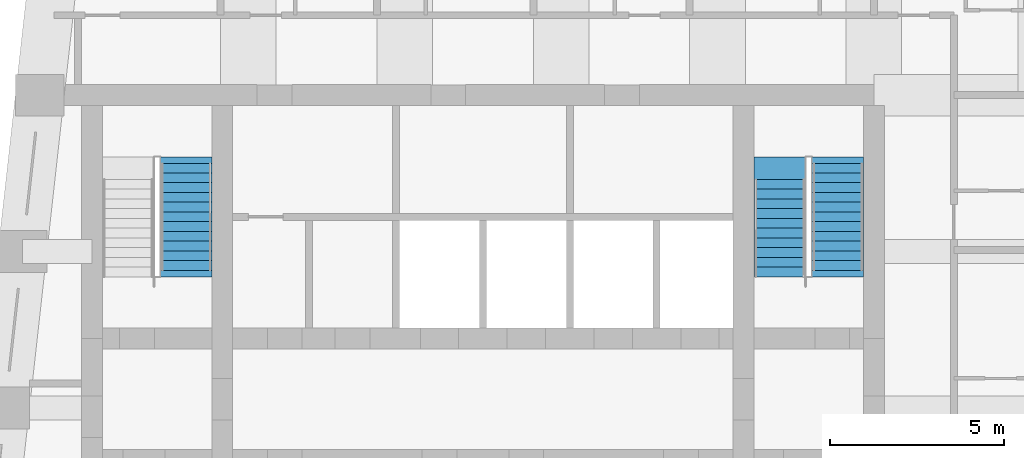
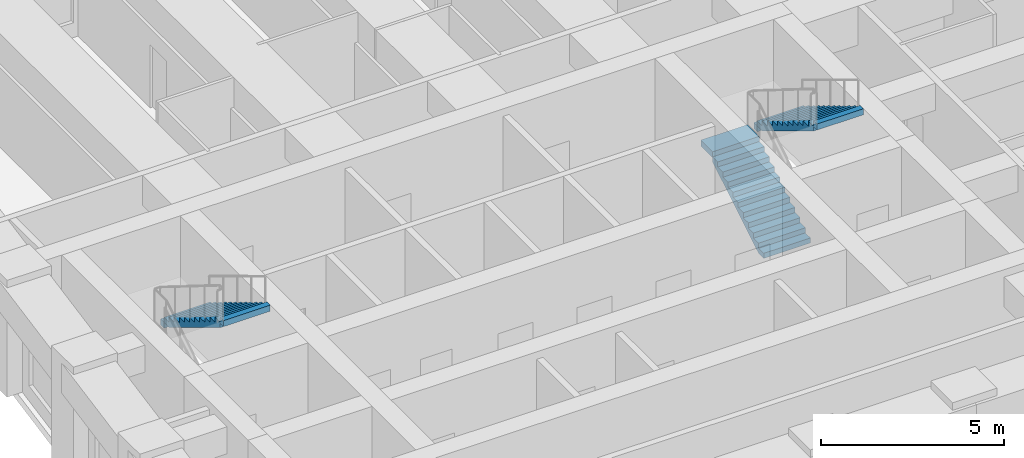
# One storey, part 6 of 7: 3 stair flights, 2 elements without a shape of their own.
"""IFC4 building model written with IfcOpenShell, lengths in metres."""

from ifc_helpers import new_model, si_unit, direction, frame, origin, place, context, subcontext, project, spatial, polyline, outline, extrude, material, type_object, element, aggregate, save


model = new_model("IFC4")

# Units and contexts
model_context = context("Model", 3, precision=1e-05, world=origin(), true_north=direction((0.0, 1.0)))
body_context = subcontext(model_context, "Body", "Model", "MODEL_VIEW")
ifc_project = project(units=[si_unit("LENGTHUNIT", "METRE"), si_unit("AREAUNIT", "SQUARE_METRE"), si_unit("VOLUMEUNIT", "CUBIC_METRE"), si_unit("PLANEANGLEUNIT", "RADIAN"), si_unit("MASSUNIT", "GRAM", prefix="KILO")], contexts=[model_context])

# Site, building, storey
site_placement = place(None, origin())
site = spatial("IfcSite", under=ifc_project, at=site_placement, CompositionType="ELEMENT")
building_placement = place(site_placement, origin())
building = spatial("IfcBuilding", under=site, at=building_placement, Name="Kilele Tower Hotel", CompositionType="ELEMENT")
storey_placement = place(building_placement, frame((0.0, 0.0, 266.300048828125)))
storey = spatial("IfcBuildingStorey", under=building, at=storey_placement, Name="L68", CompositionType="ELEMENT", Elevation=266.300048828125)

# Stair, stair flight
ifc_material_1 = material(Name="Precast concrete C40/50", Category="concrete")
stair_type = type_object("IfcStairType", Name="Stair 1475 x 3900", PredefinedType="HALF_TURN_STAIR", material=ifc_material_1)
stair_1_placement = place(storey_placement, origin())
stair_1 = element("IfcStair", 1, at=stair_1_placement, inside=storey, type_object=stair_type, Name="Stair 1 L68", PredefinedType="HALF_TURN_STAIR")
ifc_material_2 = material(Name="Precast concrete C40/50", Category="concrete")
stair_flight_type = type_object("IfcStairFlightType", Name="Flight 1475 riser 169.6", PredefinedType="STRAIGHT", material=ifc_material_2)
stair_flight_1_placement = place(storey_placement, frame((16.21240234375, 25.0400390625, 1.865234375), z_axis=(0.0, 0.0, 1.0), x_axis=(0.0, -1.0, 0.0)))
stair_flight_1 = element("IfcStairFlight", 2, at=stair_flight_1_placement, type_object=stair_flight_type, Name="ST1 flight 2", NumberOfRisers=12, NumberOfTreads=11, PredefinedType="STRAIGHT", RiserHeight=0.169565217, TreadLength=0.28, context=body_context, shape_type="SweptSolid", body=[
    extrude(outline(polyline([(0.0, 0.0), (0.0, 0.169677734375), (0.280029296875, 0.169677734375), (0.280029296875, 0.339111328125), (0.56005859375, 0.339111328125), (0.56005859375, 0.5087890625), (0.840087890625, 0.5087890625), (0.840087890625, 0.67822265625), (1.1201171875, 0.67822265625), (1.1201171875, 0.847900390625), (1.39990234375, 0.847900390625), (1.39990234375, 1.017333984375), (1.679931640625, 1.017333984375), (1.679931640625, 1.18701171875), (1.9599609375, 1.18701171875), (1.9599609375, 1.3564453125), (2.239990234375, 1.3564453125), (2.239990234375, 1.526123046875), (2.52001953125, 1.526123046875), (2.52001953125, 1.695556640625), (2.800048828125, 1.695556640625), (2.800048828125, 1.865234375), (3.080078125, 1.865234375), (3.080078125, 2.03466796875), (3.080078125, 1.68994140625), (0.289306640625, 0.0), (0.0, 0.0)])), frame((0.0, 0.737548828125, 0.0), z_axis=(0.0, -1.0, 0.0), x_axis=(1.0, 0.0, 0.0)), (0.0, 0.0, 1.0), 1.47509765625),
    extrude(outline(polyline([(0.0, -0.7373046875), (0.0, 0.737548828125), (-0.18505859375, 0.737548828125), (-0.18505859375, -0.7373046875), (0.0, -0.7373046875)])), frame((0.0, 0.0, -0.2001953125)), (0.0, 0.0, 1.0), 0.199951171875),
    extrude(outline(polyline([(3.26513671875, -0.7373046875), (3.26513671875, 0.737548828125), (3.080078125, 0.737548828125), (3.080078125, -0.7373046875), (3.26513671875, -0.7373046875)])), frame((0.0, 0.0, 1.834716796875)), (0.0, 0.0, 1.0), 0.199951171875),
])
aggregate(stair_1, [stair_flight_1])

# Stair, stair flights
stair_2_placement = place(storey_placement, origin())
stair_2 = element("IfcStair", 3, at=stair_2_placement, inside=storey, type_object=stair_type, Name="Stair 2 L68", PredefinedType="HALF_TURN_STAIR")
stair_flight_2_placement = place(storey_placement, frame((33.28759765625, 21.77490234375, 0.0), z_axis=(0.0, 0.0, 1.0), x_axis=(0.0, 1.0, 0.0)))
stair_flight_2 = element("IfcStairFlight", 4, at=stair_flight_2_placement, type_object=stair_flight_type, Name="ST2 flight 1", NumberOfRisers=11, NumberOfTreads=10, PredefinedType="STRAIGHT", RiserHeight=0.169565217, TreadLength=0.28, context=body_context, shape_type="SweptSolid", body=[
    extrude(outline(polyline([(0.0, 0.0), (0.0, 0.169677734375), (0.280029296875, 0.169677734375), (0.280029296875, 0.339111328125), (0.56005859375, 0.339111328125), (0.56005859375, 0.5087890625), (0.840087890625, 0.5087890625), (0.840087890625, 0.67822265625), (1.1201171875, 0.67822265625), (1.1201171875, 0.847900390625), (1.39990234375, 0.847900390625), (1.39990234375, 1.017333984375), (1.679931640625, 1.017333984375), (1.679931640625, 1.18701171875), (1.9599609375, 1.18701171875), (1.9599609375, 1.3564453125), (2.239990234375, 1.3564453125), (2.239990234375, 1.526123046875), (2.52001953125, 1.526123046875), (2.52001953125, 1.695556640625), (2.800048828125, 1.695556640625), (2.800048828125, 1.865234375), (2.800048828125, 1.5205078125), (0.289306640625, 0.0), (0.0, 0.0)])), frame((0.0, 0.737548828125, 0.0), z_axis=(0.0, -1.0, 0.0), x_axis=(1.0, 0.0, 0.0)), (0.0, 0.0, 1.0), 1.47509765625),
    extrude(outline(polyline([(2.800048828125, 0.737548828125), (2.800048828125, -0.7373046875), (3.4501953125, -0.7373046875), (3.4501953125, 0.737548828125), (2.800048828125, 0.737548828125)])), frame((0.0, 0.0, 1.6650390625)), (0.0, 0.0, 1.0), 0.199951171875),
])
stair_flight_3_placement = place(storey_placement, frame((34.96240234375, 25.0400390625, 1.865234375), z_axis=(0.0, 0.0, 1.0), x_axis=(0.0, -1.0, 0.0)))
stair_flight_3 = element("IfcStairFlight", 5, at=stair_flight_3_placement, type_object=stair_flight_type, Name="ST2 flight 2", NumberOfRisers=12, NumberOfTreads=11, PredefinedType="STRAIGHT", RiserHeight=0.169565217, TreadLength=0.28, context=body_context, shape_type="SweptSolid", body=[
    extrude(outline(polyline([(0.0, 0.0), (0.0, 0.169677734375), (0.280029296875, 0.169677734375), (0.280029296875, 0.339111328125), (0.56005859375, 0.339111328125), (0.56005859375, 0.5087890625), (0.840087890625, 0.5087890625), (0.840087890625, 0.67822265625), (1.1201171875, 0.67822265625), (1.1201171875, 0.847900390625), (1.39990234375, 0.847900390625), (1.39990234375, 1.017333984375), (1.679931640625, 1.017333984375), (1.679931640625, 1.18701171875), (1.9599609375, 1.18701171875), (1.9599609375, 1.3564453125), (2.239990234375, 1.3564453125), (2.239990234375, 1.526123046875), (2.52001953125, 1.526123046875), (2.52001953125, 1.695556640625), (2.800048828125, 1.695556640625), (2.800048828125, 1.865234375), (3.080078125, 1.865234375), (3.080078125, 2.03466796875), (3.080078125, 1.68994140625), (0.289306640625, 0.0), (0.0, 0.0)])), frame((0.0, 0.737548828125, 0.0), z_axis=(0.0, -1.0, 0.0), x_axis=(1.0, 0.0, 0.0)), (0.0, 0.0, 1.0), 1.47509765625),
    extrude(outline(polyline([(0.0, -0.7373046875), (0.0, 0.737548828125), (-0.18505859375, 0.737548828125), (-0.18505859375, -0.7373046875), (0.0, -0.7373046875)])), frame((0.0, 0.0, -0.2001953125)), (0.0, 0.0, 1.0), 0.199951171875),
    extrude(outline(polyline([(3.26513671875, -0.7373046875), (3.26513671875, 0.737548828125), (3.080078125, 0.737548828125), (3.080078125, -0.7373046875), (3.26513671875, -0.7373046875)])), frame((0.0, 0.0, 1.834716796875)), (0.0, 0.0, 1.0), 0.199951171875),
])
aggregate(stair_2, [stair_flight_2, stair_flight_3])

save(model, "model.ifc")
